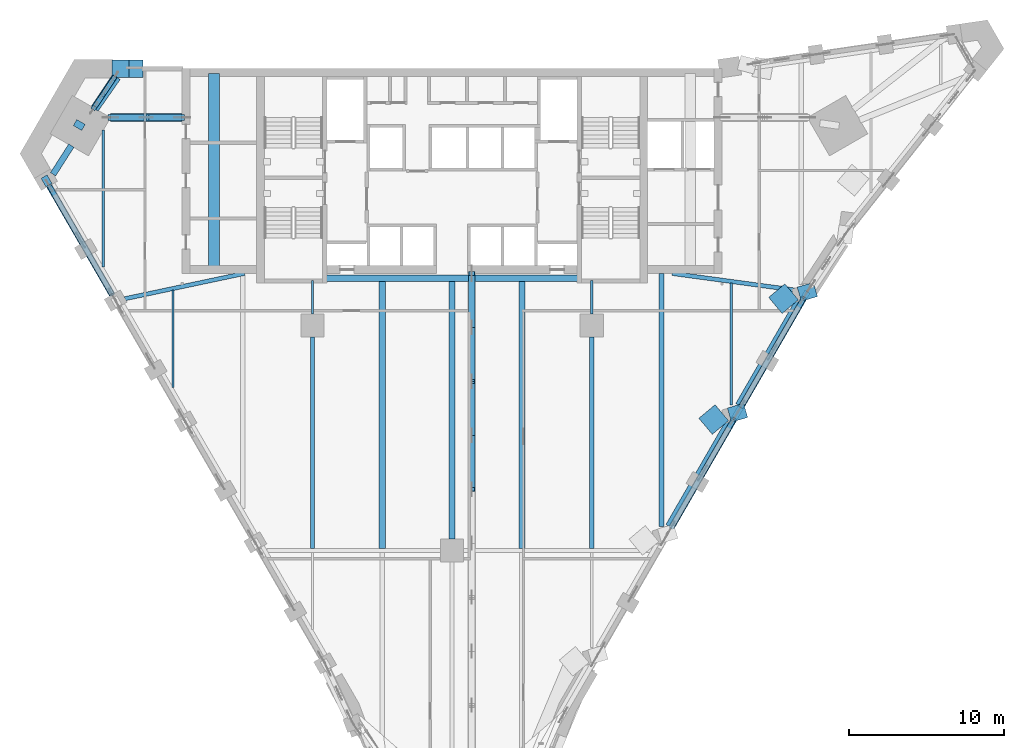
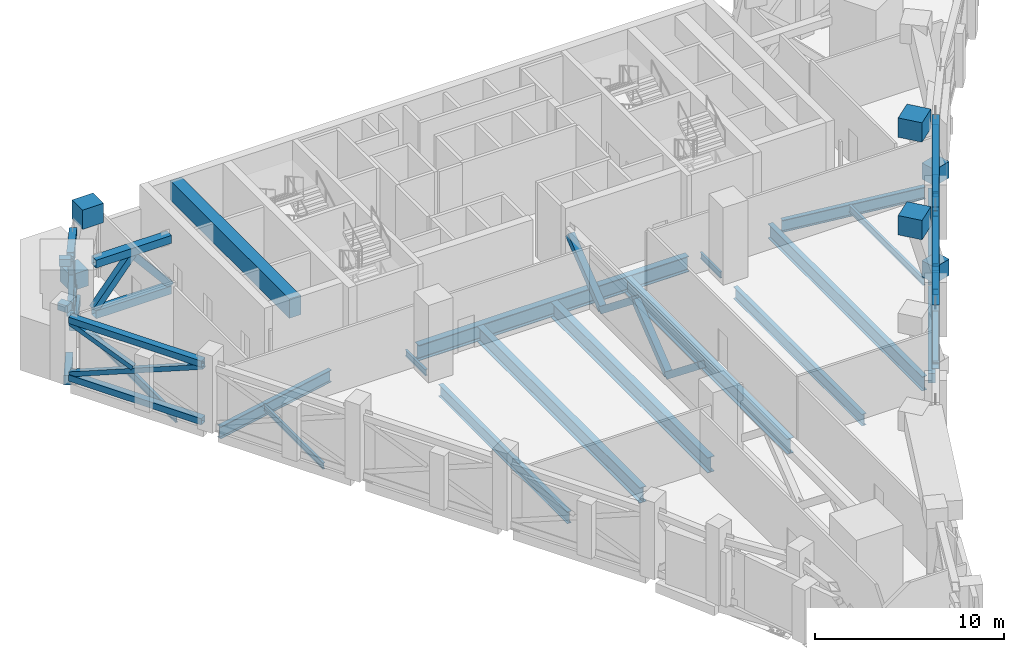
# One storey, part 3 of 20: 27 beams, 26 members.
"""IFC4 building model written with IfcOpenShell, lengths in metres."""

from ifc_helpers import new_model, si_unit, direction, frame, origin, origin_2d, place, context, subcontext, project, spatial, rectangle, hollow_rectangle, i_section, extrude, material, material_profile, profile_set, type_object, element, save


model = new_model("IFC4")

# Units and contexts
model_context = context("Model", 3, precision=1e-05, world=origin(), true_north=direction((0.0, 1.0)))
body_context = subcontext(model_context, "Body", "Model", "MODEL_VIEW")
ifc_project = project(units=[si_unit("LENGTHUNIT", "METRE"), si_unit("AREAUNIT", "SQUARE_METRE"), si_unit("VOLUMEUNIT", "CUBIC_METRE"), si_unit("PLANEANGLEUNIT", "RADIAN"), si_unit("MASSUNIT", "GRAM", prefix="KILO")], contexts=[model_context])

# Site, building, storey
site_placement = place(None, origin())
site = spatial("IfcSite", under=ifc_project, at=site_placement, CompositionType="ELEMENT")
building_placement = place(site_placement, origin())
building = spatial("IfcBuilding", under=site, at=building_placement, Name="Calabash Gate Tower", CompositionType="ELEMENT")
storey_placement = place(building_placement, frame((0.0, 0.0, 139.60009765625)))
storey = spatial("IfcBuildingStorey", under=building, at=storey_placement, Name="L32", CompositionType="ELEMENT", Elevation=139.60009765625)

# Members
ifc_material_1 = material(Name="Steel ASTM A500 Gr C", Category="steel")
ifc_material_profile_1 = material_profile(ifc_material_1, hollow_rectangle(XDim=0.406494140625, YDim=0.406494140625, WallThickness=0.015869140625, at=origin_2d()))
ifc_profile_set_1 = profile_set([ifc_material_profile_1], Name="Steel ASTM A500 Gr C")
member_type_1 = type_object("IfcMemberType", Name="Belt truss chord HSS16X16X.625 ASTM A500 Gr C", PredefinedType="CHORD", material=ifc_profile_set_1)
member_1_placement = place(storey_placement, frame((14.131591796875, -10.5283203125, 0.203125), z_axis=(0.499999880539, 0.866025472755, 0.0), x_axis=(-0.866025472755, 0.499999880539, 0.0)))
element("IfcMember", 1, at=member_1_placement, inside=storey, type_object=member_type_1, Name="Belt chord L32 46", PredefinedType="CHORD", context=body_context, shape_type="SweptSolid", body=[
    extrude(hollow_rectangle(XDim=0.406494140625, YDim=0.406494140625, WallThickness=0.015869140625, at=origin_2d()), origin(), (0.0, 0.0, 1.0), 8.10009765625),
])
member_2_placement = place(storey_placement, frame((14.131591796875, -10.5283203125, 3.9267578125), z_axis=(0.500005646658, 0.866022143236, 2.7112333e-05), x_axis=(-0.866022143554, 0.500005646842, 0.0)))
element("IfcMember", 2, at=member_2_placement, inside=storey, type_object=member_type_1, Name="Belt chord L32 47", PredefinedType="CHORD", context=body_context, shape_type="SweptSolid", body=[
    extrude(hollow_rectangle(XDim=0.406494140625, YDim=0.406494140625, WallThickness=0.015869140625, at=origin_2d()), origin(), (0.0, 0.0, 1.0), 9.0048828125),
])
member_3_placement = place(storey_placement, frame((18.631591796875, -2.734130859375, 0.203125), z_axis=(0.499999880539, 0.866025472755, 0.0), x_axis=(-0.866025472755, 0.499999880539, 0.0)))
element("IfcMember", 3, at=member_3_placement, inside=storey, type_object=member_type_1, Name="Belt chord L32 51", PredefinedType="CHORD", context=body_context, shape_type="SweptSolid", body=[
    extrude(hollow_rectangle(XDim=0.406494140625, YDim=0.406494140625, WallThickness=0.015869140625, at=origin_2d()), origin(), (0.0, 0.0, 1.0), 8.10009765625),
])
member_4_placement = place(storey_placement, frame((18.631591796875, -2.734130859375, 3.9267578125), z_axis=(0.49987064474, 0.866100073729, 2.8531429e-05), x_axis=(-0.866100074081, 0.499870644944, 0.0)))
element("IfcMember", 4, at=member_4_placement, inside=storey, type_object=member_type_1, Name="Belt chord L32 52", PredefinedType="CHORD", context=body_context, shape_type="SweptSolid", body=[
    extrude(hollow_rectangle(XDim=0.406494140625, YDim=0.406494140625, WallThickness=0.015869140625, at=origin_2d()), origin(), (0.0, 0.0, 1.0), 8.556884765625),
])
member_5_placement = place(storey_placement, frame((-21.77099609375, 18.493896484375, 0.202880859375), z_axis=(-0.556172397558, -0.831066936892, 0.000102956756), x_axis=(0.831066941296, -0.556172400506, 0.0)))
element("IfcMember", 5, at=member_5_placement, inside=storey, type_object=member_type_1, Name="Belt chord L32 86", PredefinedType="CHORD", context=body_context, shape_type="SweptSolid", body=[
    extrude(hollow_rectangle(XDim=0.406494140625, YDim=0.406494140625, WallThickness=0.015869140625, at=origin_2d()), origin(), (0.0, 0.0, 1.0), 2.371337890625),
])
member_6_placement = place(storey_placement, frame((-21.798583984375, 18.45263671875, 3.9267578125), z_axis=(-0.556179616654, -0.83106211201, 0.0), x_axis=(0.83106211201, -0.556179616654, 0.0)))
element("IfcMember", 6, at=member_6_placement, inside=storey, type_object=member_type_1, Name="Belt chord L32 87", PredefinedType="CHORD", context=body_context, shape_type="SweptSolid", body=[
    extrude(hollow_rectangle(XDim=0.406494140625, YDim=0.406494140625, WallThickness=0.015869140625, at=origin_2d()), origin(), (0.0, 0.0, 1.0), 2.32177734375),
])
for number, where, z_axis, x_axis, name in (
    (7, (-25.963134765625, 11.504638671875, 0.203125), (0.500012932018, -0.866017937352, 0.0), (0.866017937352, 0.500012932018, 0.0), "Belt chord L32 91"),
    (8, (-25.963134765625, 11.504638671875, 3.9267578125), (0.500012932018, -0.866017937352, 0.0), (0.866017937352, 0.500012932018, 0.0), "Belt chord L32 92"),
):
    element("IfcMember", number, at=place(storey_placement, frame(where, z_axis=z_axis, x_axis=x_axis)), inside=storey, type_object=member_type_1, Name=name, PredefinedType="CHORD", context=body_context, shape_type="SweptSolid", body=[
        extrude(hollow_rectangle(XDim=0.406494140625, YDim=0.406494140625, WallThickness=0.015869140625, at=origin_2d()), origin(), (0.0, 0.0, 1.0), 8.099853515625),
    ])
ifc_material_2 = material(Name="Steel ASTM A500 Gr C", Category="steel")
ifc_material_profile_2 = material_profile(ifc_material_2, hollow_rectangle(XDim=0.3046875, YDim=0.3046875, WallThickness=0.0126953125, at=origin_2d()))
ifc_profile_set_2 = profile_set([ifc_material_profile_2], Name="Steel ASTM A500 Gr C")
member_type_2 = type_object("IfcMemberType", Name="Belt truss diagonal HSS12X12X.500 ASTM A500 Gr C", PredefinedType="BRACE", material=ifc_profile_set_2)
member_7_placement = place(storey_placement, frame((14.131591796875, -10.5283203125, 0.40625), z_axis=(0.462704041468, 0.801427163994, 0.378971596325), x_axis=(-0.866025472755, 0.499999880539, 0.0)))
element("IfcMember", 9, at=member_7_placement, inside=storey, type_object=member_type_2, Name="Belt diagonal L32 48", PredefinedType="BRACE", context=body_context, shape_type="SweptSolid", body=[
    extrude(hollow_rectangle(XDim=0.3046875, YDim=0.3046875, WallThickness=0.0126953125, at=origin_2d()), origin(), (0.0, 0.0, 1.0), 8.7529296875),
])
member_8_placement = place(storey_placement, frame((16.257080078125, -6.8466796875, 1.982666015625), z_axis=(0.46271511004, 0.801401674157, -0.379011983449), x_axis=(-0.866013407032, 0.50002077841, 0.0)))
element("IfcMember", 10, at=member_8_placement, inside=storey, type_object=member_type_2, Name="Belt diagonal (split) L32 50 half 2 of 2", PredefinedType="BRACE", context=body_context, shape_type="SweptSolid", body=[
    extrude(hollow_rectangle(XDim=0.3046875, YDim=0.3046875, WallThickness=0.0126953125, at=origin_2d()), origin(), (0.0, 0.0, 1.0), 4.1591796875),
])
member_9_placement = place(storey_placement, frame((18.631591796875, -2.734130859375, 0.40625), z_axis=(0.462704041468, 0.801427163994, 0.378971596325), x_axis=(-0.866025472755, 0.499999880539, 0.0)))
element("IfcMember", 11, at=member_9_placement, inside=storey, type_object=member_type_2, Name="Belt diagonal L32 53", PredefinedType="BRACE", context=body_context, shape_type="SweptSolid", body=[
    extrude(hollow_rectangle(XDim=0.3046875, YDim=0.3046875, WallThickness=0.0126953125, at=origin_2d()), origin(), (0.0, 0.0, 1.0), 8.7529296875),
])
member_10_placement = place(storey_placement, frame((18.631591796875, -2.734130859375, 3.723388671875), z_axis=(0.462703636609, 0.801440499081, -0.378943889121), x_axis=(-0.866029264609, 0.499993312796, 0.0)))
element("IfcMember", 12, at=member_10_placement, inside=storey, type_object=member_type_2, Name="Belt diagonal (split) L32 54 half 1 of 2", PredefinedType="BRACE", context=body_context, shape_type="SweptSolid", body=[
    extrude(hollow_rectangle(XDim=0.3046875, YDim=0.3046875, WallThickness=0.0126953125, at=origin_2d()), origin(), (0.0, 0.0, 1.0), 4.159423828125),
])
member_11_placement = place(storey_placement, frame((20.757080078125, 0.947509765625, 1.982666015625), z_axis=(0.46271511004, 0.801401674157, -0.379011983449), x_axis=(-0.866013407032, 0.50002077841, 0.0)))
element("IfcMember", 13, at=member_11_placement, inside=storey, type_object=member_type_2, Name="Belt diagonal (split) L32 55 half 2 of 2", PredefinedType="BRACE", context=body_context, shape_type="SweptSolid", body=[
    extrude(hollow_rectangle(XDim=0.3046875, YDim=0.3046875, WallThickness=0.0126953125, at=origin_2d()), origin(), (0.0, 0.0, 1.0), 4.1591796875),
])
member_12_placement = place(storey_placement, frame((-21.798583984375, 18.45263671875, 0.40625), z_axis=(-0.318916957277, -0.476536342099, 0.819271071758), x_axis=(0.83106211201, -0.556179616654, 0.0)))
element("IfcMember", 14, at=member_12_placement, inside=storey, type_object=member_type_2, Name="Belt diagonal L32 88", PredefinedType="BRACE", context=body_context, shape_type="SweptSolid", body=[
    extrude(hollow_rectangle(XDim=0.3046875, YDim=0.3046875, WallThickness=0.0126953125, at=origin_2d()), origin(), (0.0, 0.0, 1.0), 4.048828125),
])
member_13_placement = place(storey_placement, frame((-21.798583984375, 18.45263671875, 3.723388671875), z_axis=(-0.318966532674, -0.476548847625, -0.819244497608), x_axis=(0.831028896628, -0.556229244978, 0.0)))
element("IfcMember", 15, at=member_13_placement, inside=storey, type_object=member_type_2, Name="Belt diagonal (split) L32 89 half 1 of 2", PredefinedType="BRACE", context=body_context, shape_type="SweptSolid", body=[
    extrude(hollow_rectangle(XDim=0.3046875, YDim=0.3046875, WallThickness=0.0126953125, at=origin_2d()), origin(), (0.0, 0.0, 1.0), 1.8623046875),
])
member_14_placement = place(storey_placement, frame((-22.495849609375, 17.41064453125, 1.93212890625), z_axis=(-0.318932277479, -0.476497668984, -0.819287601416), x_axis=(0.831028896628, -0.556229244978, 0.0)))
element("IfcMember", 16, at=member_14_placement, inside=storey, type_object=member_type_2, Name="Belt diagonal (split) L32 90 half 2 of 2", PredefinedType="BRACE", context=body_context, shape_type="SweptSolid", body=[
    extrude(hollow_rectangle(XDim=0.3046875, YDim=0.3046875, WallThickness=0.0126953125, at=origin_2d()), origin(), (0.0, 0.0, 1.0), 1.862548828125),
])
member_15_placement = place(storey_placement, frame((-25.963134765625, 11.504638671875, 0.40625), z_axis=(0.462714384728, -0.801417186208, 0.378980067834), x_axis=(0.866017937352, 0.500012932018, 0.0)))
element("IfcMember", 17, at=member_15_placement, inside=storey, type_object=member_type_2, Name="Belt diagonal L32 93", PredefinedType="BRACE", context=body_context, shape_type="SweptSolid", body=[
    extrude(hollow_rectangle(XDim=0.3046875, YDim=0.3046875, WallThickness=0.0126953125, at=origin_2d()), origin(), (0.0, 0.0, 1.0), 8.752685546875),
])
member_16_placement = place(storey_placement, frame((-25.963134765625, 11.504638671875, 3.723388671875), z_axis=(0.462679271023, -0.801441269637, -0.378972008846), x_axis=(0.866040873467, 0.499973204766, 0.0)))
element("IfcMember", 18, at=member_16_placement, inside=storey, type_object=member_type_2, Name="Belt diagonal (split) L32 94 half 1 of 2", PredefinedType="BRACE", context=body_context, shape_type="SweptSolid", body=[
    extrude(hollow_rectangle(XDim=0.3046875, YDim=0.3046875, WallThickness=0.0126953125, at=origin_2d()), origin(), (0.0, 0.0, 1.0), 4.1591796875),
])

# Beams
ifc_material_3 = material(Name="Concrete C80/95", Category="concrete")
ifc_material_profile_3 = material_profile(ifc_material_3, rectangle(XDim=0.449951171875, YDim=0.449951171875, at=origin_2d()))
ifc_profile_set_3 = profile_set([ifc_material_profile_3], Name="Concrete C80/95")
beam_type_1 = type_object("IfcBeamType", Name="Column offset link RC 450x450 Concrete C80/95", PredefinedType="BEAM", material=ifc_profile_set_3)
beam_1_placement = place(storey_placement, frame((-23.762939453125, 15.26611328125, 4.60400390625), z_axis=(-0.86589493345, 0.500225913189, 0.0), x_axis=(-0.500225913189, -0.86589493345, 0.0)))
element("IfcBeam", 19, at=beam_1_placement, inside=storey, type_object=beam_type_1, Name="Column offset link L32 NW", PredefinedType="BEAM", context=body_context, shape_type="SweptSolid", body=[
    extrude(rectangle(XDim=0.449951171875, YDim=0.449951171875, at=origin_2d()), origin(), (0.0, 0.0, 1.0), 0.629638671875),
])
beam_2_placement = place(storey_placement, frame((-25.989990234375, 11.551025390625, 4.60400390625), z_axis=(-0.497391899042, 0.867525964319, 0.0), x_axis=(-0.867525964319, -0.497391899042, 0.0)))
element("IfcBeam", 20, at=beam_2_placement, inside=storey, type_object=beam_type_1, Name="Column offset link L32 P20", PredefinedType="BEAM", context=body_context, shape_type="SweptSolid", body=[
    extrude(rectangle(XDim=0.449951171875, YDim=0.449951171875, at=origin_2d()), origin(), (0.0, 0.0, 1.0), 0.629150390625),
])
ifc_material_4 = material(Name="Concrete C80/95", Category="concrete")
ifc_material_profile_4 = material_profile(ifc_material_4, rectangle(XDim=0.699951171875, YDim=1.25, at=origin_2d()))
ifc_profile_set_4 = profile_set([ifc_material_profile_4], Name="Concrete C80/95")
beam_type_2 = type_object("IfcBeamType", Name="Core wall transfer beam RC 700x1250 Concrete C80/95", PredefinedType="BEAM", material=ifc_profile_set_4)
beam_3_placement = place(storey_placement, frame((-15.35009765625, 6.153076171875, 4.206787109375), z_axis=(0.0, 1.0, 0.0), x_axis=(-1.0, 0.0, 0.0)))
element("IfcBeam", 21, at=beam_3_placement, inside=storey, type_object=beam_type_2, Name="Core wall transfer beam L32 1", PredefinedType="BEAM", context=body_context, shape_type="SweptSolid", body=[
    extrude(rectangle(XDim=0.699951171875, YDim=1.25, at=origin_2d()), origin(), (0.0, 0.0, 1.0), 12.599853515625),
])
ifc_material_5 = material(Name="Concrete C60/75", Category="concrete")
ifc_material_profile_5 = material_profile(ifc_material_5, rectangle(XDim=0.39990234375, YDim=0.60009765625, at=origin_2d()))
ifc_profile_set_5 = profile_set([ifc_material_profile_5], Name="Concrete C60/75")
beam_type_3 = type_object("IfcBeamType", Name="Edge beam RC 400x600 Concrete C60/75", PredefinedType="BEAM", material=ifc_profile_set_5)
beam_4_placement = place(storey_placement, frame((13.9580078125, -10.427978515625, -0.60009765625), z_axis=(0.499999880539, 0.866025472755, 0.0), x_axis=(-0.866025472755, 0.499999880539, 0.0)))
element("IfcBeam", 22, at=beam_4_placement, inside=storey, type_object=beam_type_3, Name="Edge beam L32 12", PredefinedType="BEAM", context=body_context, shape_type="SweptSolid", body=[
    extrude(rectangle(XDim=0.39990234375, YDim=0.60009765625, at=origin_2d()), origin(), (0.0, 0.0, 1.0), 8.10009765625),
])
beam_5_placement = place(storey_placement, frame((18.4580078125, -2.634033203125, -0.60009765625), z_axis=(0.499986829629, 0.866033007568, 0.0), x_axis=(-0.866033007568, 0.499986829629, 0.0)))
element("IfcBeam", 23, at=beam_5_placement, inside=storey, type_object=beam_type_3, Name="Edge beam L32 13", PredefinedType="BEAM", context=body_context, shape_type="SweptSolid", body=[
    extrude(rectangle(XDim=0.39990234375, YDim=0.60009765625, at=origin_2d()), origin(), (0.0, 0.0, 1.0), 8.100341796875),
])
beam_6_placement = place(storey_placement, frame((-21.56005859375, 18.470947265625, -0.60009765625), z_axis=(-0.572712945654, -0.819755989231, 0.0), x_axis=(0.819755989231, -0.572712945654, 0.0)))
element("IfcBeam", 24, at=beam_6_placement, inside=storey, type_object=beam_type_3, Name="Edge beam L32 21", PredefinedType="BEAM", context=body_context, shape_type="SweptSolid", body=[
    extrude(rectangle(XDim=0.39990234375, YDim=0.60009765625, at=origin_2d()), origin(), (0.0, 0.0, 1.0), 2.493408203125),
])
beam_7_placement = place(storey_placement, frame((-24.54296875, 14.097900390625, -0.60009765625), z_axis=(-0.53876925655, -0.842453374494, 0.0), x_axis=(0.842453374494, -0.53876925655, 0.0)))
element("IfcBeam", 25, at=beam_7_placement, inside=storey, type_object=beam_type_3, Name="Edge beam L32 22", PredefinedType="BEAM", context=body_context, shape_type="SweptSolid", body=[
    extrude(rectangle(XDim=0.39990234375, YDim=0.60009765625, at=origin_2d()), origin(), (0.0, 0.0, 1.0), 2.1923828125),
])
ifc_material_6 = material(Name="Steel ASTM A992 Gr50", Category="steel")
ifc_material_profile_6 = material_profile(ifc_material_6, i_section(OverallWidth=0.1396484375, OverallDepth=0.398681640625, WebThickness=0.00634765625, FlangeThickness=0.0087890625, FilletRadius=0.01025390625, at=origin_2d()))
ifc_profile_set_6 = profile_set([ifc_material_profile_6], Name="Steel ASTM A992 Gr50")
beam_type_4 = type_object("IfcBeamType", Name="Floor beam W16x26 ASTM A992 Gr50", PredefinedType="BEAM", material=ifc_profile_set_6)
beam_8_placement = place(storey_placement, frame((-18.0, -1.5, -0.4990234375), z_axis=(0.0, 1.0, 0.0), x_axis=(-1.0, 0.0, 0.0)))
element("IfcBeam", 26, at=beam_8_placement, inside=storey, type_object=beam_type_4, Name="Floor beam L32 2", PredefinedType="BEAM", context=body_context, shape_type="SweptSolid", body=[
    extrude(i_section(OverallWidth=0.1396484375, OverallDepth=0.398681640625, WebThickness=0.00634765625, FlangeThickness=0.0087890625, FilletRadius=0.01025390625, at=origin_2d()), origin(), (0.0, 0.0, 1.0), 6.277099609375),
])
for number, where, z_axis, x_axis, name in (
    (27, (-9.0, 3.25, -0.4990234375), (0.0, 1.0, 0.0), (-1.0, 0.0, 0.0), "Floor beam L32 6"),
    (28, (9.0, 3.25, -0.4990234375), (0.0, 1.0, 0.0), (-1.0, 0.0, 0.0), "Floor beam L32 15"),
):
    element("IfcBeam", number, at=place(storey_placement, frame(where, z_axis=z_axis, x_axis=x_axis)), inside=storey, type_object=beam_type_4, Name=name, PredefinedType="BEAM", context=body_context, shape_type="SweptSolid", body=[
        extrude(i_section(OverallWidth=0.1396484375, OverallDepth=0.398681640625, WebThickness=0.00634765625, FlangeThickness=0.0087890625, FilletRadius=0.01025390625, at=origin_2d()), origin(), (0.0, 0.0, 1.0), 2.153076171875),
    ])
ifc_material_7 = material(Name="Steel ASTM A992 Gr50", Category="steel")
ifc_material_profile_7 = material_profile(ifc_material_7, i_section(OverallWidth=0.15234375, OverallDepth=0.44970703125, WebThickness=0.007568359375, FlangeThickness=0.0107421875, FilletRadius=0.01025390625, at=origin_2d()))
ifc_profile_set_7 = profile_set([ifc_material_profile_7], Name="Steel ASTM A992 Gr50")
beam_type_5 = type_object("IfcBeamType", Name="Floor beam W18x35 ASTM A992 Gr50", PredefinedType="BEAM", material=ifc_profile_set_7)
beam_9_placement = place(storey_placement, frame((18.0, -2.639892578125, -0.523193359375), z_axis=(0.0, 1.0, 0.0), x_axis=(-1.0, 0.0, 0.0)))
element("IfcBeam", 29, at=beam_9_placement, inside=storey, type_object=beam_type_5, Name="Floor beam L32 17", PredefinedType="BEAM", context=body_context, shape_type="SweptSolid", body=[
    extrude(i_section(OverallWidth=0.15234375, OverallDepth=0.44970703125, WebThickness=0.007568359375, FlangeThickness=0.0107421875, FilletRadius=0.01025390625, at=origin_2d()), origin(), (0.0, 0.0, 1.0), 7.866943359375),
])
ifc_material_8 = material(Name="Steel ASTM A992 Gr50", Category="steel")
ifc_material_profile_8 = material_profile(ifc_material_8, i_section(OverallWidth=0.166015625, OverallDepth=0.5283203125, WebThickness=0.009765625, FlangeThickness=0.013671875, FilletRadius=0.0126953125, at=origin_2d()))
ifc_profile_set_8 = profile_set([ifc_material_profile_8], Name="Steel ASTM A992 Gr50")
beam_type_6 = type_object("IfcBeamType", Name="Floor beam W21x50 ASTM A992 Gr50", PredefinedType="BEAM", material=ifc_profile_set_8)
beam_10_placement = place(storey_placement, frame((-22.5, 6.27392578125, -0.564208984375), z_axis=(0.0, 1.0, 0.0), x_axis=(-1.0, 0.0, 0.0)))
element("IfcBeam", 30, at=beam_10_placement, inside=storey, type_object=beam_type_6, Name="Floor beam L32 1", PredefinedType="BEAM", context=body_context, shape_type="SweptSolid", body=[
    extrude(i_section(OverallWidth=0.166015625, OverallDepth=0.5283203125, WebThickness=0.009765625, FlangeThickness=0.013671875, FilletRadius=0.0126953125, at=origin_2d()), origin(), (0.0, 0.0, 1.0), 8.822998046875),
])
ifc_material_9 = material(Name="Steel ASTM A992 Gr50", Category="steel")
ifc_material_profile_9 = material_profile(ifc_material_9, i_section(OverallWidth=0.2666015625, OverallDepth=0.7568359375, WebThickness=0.013916015625, FlangeThickness=0.019287109375, FilletRadius=0.0166015625, at=origin_2d()))
ifc_profile_set_9 = profile_set([ifc_material_profile_9], Name="Steel ASTM A992 Gr50")
beam_type_7 = type_object("IfcBeamType", Name="Floor beam W30x108 ASTM A992 Gr50", PredefinedType="BEAM", material=ifc_profile_set_9)
for number, where, z_axis, x_axis, name in (
    (31, (-9.0, -11.866943359375, -0.677978515625), (0.0, 1.0, 0.0), (-1.0, 0.0, 0.0), "Floor beam L32 5"),
    (32, (9.0, -11.866943359375, -0.677978515625), (0.0, 1.0, 0.0), (-1.0, 0.0, 0.0), "Floor beam L32 14"),
):
    element("IfcBeam", number, at=place(storey_placement, frame(where, z_axis=z_axis, x_axis=x_axis)), inside=storey, type_object=beam_type_7, Name=name, PredefinedType="BEAM", context=body_context, shape_type="SweptSolid", body=[
        extrude(i_section(OverallWidth=0.2666015625, OverallDepth=0.7568359375, WebThickness=0.013916015625, FlangeThickness=0.019287109375, FilletRadius=0.0166015625, at=origin_2d()), origin(), (0.0, 0.0, 1.0), 13.616943359375),
    ])
ifc_material_10 = material(Name="Steel ASTM A992 Gr50", Category="steel")
ifc_material_profile_10 = material_profile(ifc_material_10, i_section(OverallWidth=0.307373046875, OverallDepth=0.922119140625, WebThickness=0.018310546875, FlangeThickness=0.030029296875, FilletRadius=0.01904296875, at=origin_2d()))
ifc_profile_set_10 = profile_set([ifc_material_profile_10], Name="Steel ASTM A992 Gr50")
beam_type_8 = type_object("IfcBeamType", Name="Floor beam W36x182 ASTM A992 Gr50", PredefinedType="BEAM", material=ifc_profile_set_10)
beam_11_placement = place(storey_placement, frame((13.5, -10.4541015625, -0.760986328125), z_axis=(0.0, 1.0, 0.0), x_axis=(-1.0, 0.0, 0.0)))
element("IfcBeam", 33, at=beam_11_placement, inside=storey, type_object=beam_type_8, Name="Floor beam L32 16", PredefinedType="BEAM", context=body_context, shape_type="SweptSolid", body=[
    extrude(i_section(OverallWidth=0.307373046875, OverallDepth=0.922119140625, WebThickness=0.018310546875, FlangeThickness=0.030029296875, FilletRadius=0.01904296875, at=origin_2d()), origin(), (0.0, 0.0, 1.0), 16.30712890625),
])
ifc_material_11 = material(Name="Steel ASTM A992 Gr50", Category="steel")
ifc_material_profile_11 = material_profile(ifc_material_11, i_section(OverallWidth=0.4013671875, OverallDepth=0.990478515625, WebThickness=0.0166015625, FlangeThickness=0.031005859375, FilletRadius=0.030029296875, at=origin_2d()))
ifc_profile_set_11 = profile_set([ifc_material_profile_11], Name="Steel ASTM A992 Gr50")
beam_type_9 = type_object("IfcBeamType", Name="Floor beam W40x215 ASTM A992 Gr50", PredefinedType="BEAM", material=ifc_profile_set_11)
beam_12_placement = place(storey_placement, frame((-4.5, -11.866943359375, -0.793212890625), z_axis=(0.0, 1.0, 0.0), x_axis=(-1.0, 0.0, 0.0)))
element("IfcBeam", 34, at=beam_12_placement, inside=storey, type_object=beam_type_9, Name="Floor beam L32 8", PredefinedType="BEAM", context=body_context, shape_type="SweptSolid", body=[
    extrude(i_section(OverallWidth=0.4013671875, OverallDepth=0.990478515625, WebThickness=0.0166015625, FlangeThickness=0.031005859375, FilletRadius=0.030029296875, at=origin_2d()), origin(), (0.0, 0.0, 1.0), 17.218994140625),
])
beam_13_placement = place(storey_placement, frame((0.0, -11.25, -0.793212890625), z_axis=(0.0, 1.0, 0.0), x_axis=(-1.0, 0.0, 0.0)))
element("IfcBeam", 35, at=beam_13_placement, inside=storey, type_object=beam_type_9, Name="Floor beam L32 10", PredefinedType="BEAM", context=body_context, shape_type="SweptSolid", body=[
    extrude(i_section(OverallWidth=0.4013671875, OverallDepth=0.990478515625, WebThickness=0.0166015625, FlangeThickness=0.031005859375, FilletRadius=0.030029296875, at=origin_2d()), origin(), (0.0, 0.0, 1.0), 16.60205078125),
])
beam_14_placement = place(storey_placement, frame((4.5, -11.866943359375, -0.793212890625), z_axis=(0.0, 1.0, 0.0), x_axis=(-1.0, 0.0, 0.0)))
element("IfcBeam", 36, at=beam_14_placement, inside=storey, type_object=beam_type_9, Name="Floor beam L32 12", PredefinedType="BEAM", context=body_context, shape_type="SweptSolid", body=[
    extrude(i_section(OverallWidth=0.4013671875, OverallDepth=0.990478515625, WebThickness=0.0166015625, FlangeThickness=0.031005859375, FilletRadius=0.030029296875, at=origin_2d()), origin(), (0.0, 0.0, 1.0), 17.218994140625),
])
ifc_material_12 = material(Name="Steel ASTM A992 Gr50", Category="steel")
ifc_material_profile_12 = material_profile(ifc_material_12, i_section(OverallWidth=0.2666015625, OverallDepth=0.77978515625, WebThickness=0.0166015625, FlangeThickness=0.030029296875, FilletRadius=0.0166015625, at=origin_2d()))
ifc_profile_set_12 = profile_set([ifc_material_profile_12], Name="Steel ASTM A992 Gr50")
beam_type_10 = type_object("IfcBeamType", Name="Girder W30x148 ASTM A992 Gr50", PredefinedType="BEAM", material=ifc_profile_set_12)
beam_15_placement = place(storey_placement, frame((-21.092041015625, 4.22607421875, -0.690185546875), z_axis=(0.978296589788, 0.207209513317, 0.0), x_axis=(-0.207209513317, 0.978296589788, 0.0)))
element("IfcBeam", 37, at=beam_15_placement, inside=storey, type_object=beam_type_10, Name="Girder L32 2", PredefinedType="BEAM", context=body_context, shape_type="SweptSolid", body=[
    extrude(i_section(OverallWidth=0.2666015625, OverallDepth=0.77978515625, WebThickness=0.0166015625, FlangeThickness=0.030029296875, FilletRadius=0.0166015625, at=origin_2d()), origin(), (0.0, 0.0, 1.0), 7.880126953125),
])
beam_16_placement = place(storey_placement, frame((22.285888671875, 4.757080078125, -0.690185546875), z_axis=(-0.990922447066, 0.134434757038, 0.0), x_axis=(-0.134434757038, -0.990922447066, 0.0)))
element("IfcBeam", 38, at=beam_16_placement, inside=storey, type_object=beam_type_10, Name="Girder L32 3", PredefinedType="BEAM", context=body_context, shape_type="SweptSolid", body=[
    extrude(i_section(OverallWidth=0.2666015625, OverallDepth=0.77978515625, WebThickness=0.0166015625, FlangeThickness=0.030029296875, FilletRadius=0.0166015625, at=origin_2d()), origin(), (0.0, 0.0, 1.0), 8.174072265625),
])
ifc_material_13 = material(Name="Steel ASTM A992 Gr50", Category="steel")
ifc_material_profile_13 = material_profile(ifc_material_13, i_section(OverallWidth=0.4013671875, OverallDepth=1.000732421875, WebThickness=0.01904296875, FlangeThickness=0.0361328125, FilletRadius=0.030029296875, at=origin_2d()))
ifc_profile_set_13 = profile_set([ifc_material_profile_13], Name="Steel ASTM A992 Gr50")
beam_type_11 = type_object("IfcBeamType", Name="Girder W40x249 ASTM A992 Gr50", PredefinedType="BEAM", material=ifc_profile_set_13)
beam_17_placement = place(storey_placement, frame((-8.25, 5.552978515625, -0.800048828125), z_axis=(1.0, 0.0, 0.0), x_axis=(0.0, 1.0, 0.0)))
element("IfcBeam", 39, at=beam_17_placement, inside=storey, type_object=beam_type_11, Name="Girder L32 1", PredefinedType="BEAM", context=body_context, shape_type="SweptSolid", body=[
    extrude(i_section(OverallWidth=0.4013671875, OverallDepth=1.000732421875, WebThickness=0.01904296875, FlangeThickness=0.0361328125, FilletRadius=0.030029296875, at=origin_2d()), origin(), (0.0, 0.0, 1.0), 16.5),
])

# Members
ifc_material_14 = material(Name="Steel ASTM A500 Gr C", Category="steel")
ifc_material_profile_14 = material_profile(ifc_material_14, hollow_rectangle(XDim=0.508056640625, YDim=0.508056640625, WallThickness=0.01904296875, at=origin_2d()))
ifc_profile_set_14 = profile_set([ifc_material_profile_14], Name="Steel ASTM A500 Gr C")
member_type_3 = type_object("IfcMemberType", Name="Outrigger chord HSS20X20X.750 ASTM A500 Gr C", PredefinedType="CHORD", material=ifc_profile_set_14)
for number, where, z_axis, x_axis, name in (
    (40, (-22.015869140625, 15.903076171875, 0.25390625), (1.0, 0.0, 0.0), (0.0, 1.0, 0.0), "Outrigger chord L32 NW"),
    (41, (-22.015869140625, 15.903076171875, 3.52587890625), (1.0, 0.0, 0.0), (0.0, 1.0, 0.0), "Outrigger chord L32 NW"),
):
    element("IfcMember", number, at=place(storey_placement, frame(where, z_axis=z_axis, x_axis=x_axis)), inside=storey, type_object=member_type_3, Name=name, PredefinedType="CHORD", context=body_context, shape_type="SweptSolid", body=[
        extrude(hollow_rectangle(XDim=0.508056640625, YDim=0.508056640625, WallThickness=0.01904296875, at=origin_2d()), origin(), (0.0, 0.0, 1.0), 4.615966796875),
    ])
ifc_material_15 = material(Name="Steel ASTM A500 Gr C", Category="steel")
ifc_material_profile_15 = material_profile(ifc_material_15, hollow_rectangle(XDim=0.406494140625, YDim=0.406494140625, WallThickness=0.015869140625, at=origin_2d()))
ifc_profile_set_15 = profile_set([ifc_material_profile_15], Name="Steel ASTM A500 Gr C")
member_type_4 = type_object("IfcMemberType", Name="Outrigger diagonal HSS16X16X.625 ASTM A500 Gr C", PredefinedType="BRACE", material=ifc_profile_set_15)
member_17_placement = place(storey_placement, frame((-22.015869140625, 15.903076171875, 0.5078125), z_axis=(0.640904344208, 0.0, 0.767620753742), x_axis=(0.0, 1.0, 0.0)))
element("IfcMember", 42, at=member_17_placement, inside=storey, type_object=member_type_4, Name="Outrigger diagonal L32 NW", PredefinedType="BRACE", context=body_context, shape_type="SweptSolid", body=[
    extrude(hollow_rectangle(XDim=0.406494140625, YDim=0.406494140625, WallThickness=0.015869140625, at=origin_2d()), origin(), (0.0, 0.0, 1.0), 3.600830078125),
])
member_18_placement = place(storey_placement, frame((-19.7080078125, 15.903076171875, 3.27197265625), z_axis=(0.640944291622, 0.0, -0.767587398957), x_axis=(0.0, 1.0, 0.0)))
element("IfcMember", 43, at=member_18_placement, inside=storey, type_object=member_type_4, Name="Outrigger diagonal L32 NW", PredefinedType="BRACE", context=body_context, shape_type="SweptSolid", body=[
    extrude(hollow_rectangle(XDim=0.406494140625, YDim=0.406494140625, WallThickness=0.015869140625, at=origin_2d()), origin(), (0.0, 0.0, 1.0), 3.60107421875),
])
member_19_placement = place(storey_placement, frame((1.26953125, -8.067626953125, 3.27197265625), z_axis=(0.0, 0.78304002467, -0.621971317477), x_axis=(-1.0, 0.0, 0.0)))
element("IfcMember", 44, at=member_19_placement, inside=storey, type_object=member_type_4, Name="Outrigger diagonal L32 S", PredefinedType="BRACE", context=body_context, shape_type="SweptSolid", body=[
    extrude(hollow_rectangle(XDim=0.406494140625, YDim=0.406494140625, WallThickness=0.015869140625, at=origin_2d()), origin(), (0.0, 0.0, 1.0), 4.444091796875),
])
member_20_placement = place(storey_placement, frame((1.26953125, -4.587646484375, 0.5078125), z_axis=(0.0, 0.783061274718, 0.621944563476), x_axis=(-1.0, 0.0, 0.0)))
element("IfcMember", 45, at=member_20_placement, inside=storey, type_object=member_type_4, Name="Outrigger diagonal L32 S", PredefinedType="BRACE", context=body_context, shape_type="SweptSolid", body=[
    extrude(hollow_rectangle(XDim=0.406494140625, YDim=0.406494140625, WallThickness=0.015869140625, at=origin_2d()), origin(), (0.0, 0.0, 1.0), 4.4443359375),
])
for number, where, z_axis, x_axis, name in (
    (46, (1.26953125, -1.107421875, 3.27197265625), (0.0, 0.78304002467, -0.621971317477), (-1.0, 0.0, 0.0), "Outrigger diagonal L32 S"),
    (47, (1.26953125, 2.37255859375, 0.5078125), (0.0, 0.78304002467, 0.621971317477), (-1.0, 0.0, 0.0), "Outrigger diagonal L32 S"),
):
    element("IfcMember", number, at=place(storey_placement, frame(where, z_axis=z_axis, x_axis=x_axis)), inside=storey, type_object=member_type_4, Name=name, PredefinedType="BRACE", context=body_context, shape_type="SweptSolid", body=[
        extrude(hollow_rectangle(XDim=0.406494140625, YDim=0.406494140625, WallThickness=0.015869140625, at=origin_2d()), origin(), (0.0, 0.0, 1.0), 4.444091796875),
    ])

# Beams
ifc_material_16 = material(Name="Concrete C60/75", Category="concrete")
ifc_material_profile_16 = material_profile(ifc_material_16, rectangle(XDim=1.10009765625, YDim=1.050048828125, at=origin_2d()))
ifc_profile_set_16 = profile_set([ifc_material_profile_16], Name="Concrete C60/75")
beam_type_12 = type_object("IfcBeamType", Name="Transfer node RC 1100x1050 Concrete C60/75", PredefinedType="BEAM", material=ifc_profile_set_16)
beam_18_placement = place(storey_placement, frame((-21.387939453125, 19.60302734375, 0.52685546875), z_axis=(0.0, -1.0, 0.0), x_axis=(1.0, 0.0, 0.0)))
element("IfcBeam", 48, at=beam_18_placement, inside=storey, type_object=beam_type_12, Name="Transfer node L32 foot P17", PredefinedType="BEAM", context=body_context, shape_type="SweptSolid", body=[
    extrude(rectangle(XDim=1.10009765625, YDim=1.050048828125, at=origin_2d()), origin(), (0.0, 0.0, 1.0), 1.10009765625),
])
ifc_material_17 = material(Name="Concrete C60/75", Category="concrete")
ifc_material_profile_17 = material_profile(ifc_material_17, rectangle(XDim=1.10009765625, YDim=1.25, at=origin_2d()))
ifc_profile_set_17 = profile_set([ifc_material_profile_17], Name="Concrete C60/75")
beam_type_13 = type_object("IfcBeamType", Name="Transfer node RC 1100x1250 Concrete C60/75", PredefinedType="BEAM", material=ifc_profile_set_17)
beam_19_placement = place(storey_placement, frame((-19.9189453125, 19.052978515625, 4.376953125), z_axis=(-1.0, 0.0, 0.0), x_axis=(0.0, -1.0, 0.0)))
element("IfcBeam", 49, at=beam_19_placement, inside=storey, type_object=beam_type_13, Name="Transfer node L32 head P17", PredefinedType="BEAM", context=body_context, shape_type="SweptSolid", body=[
    extrude(rectangle(XDim=1.10009765625, YDim=1.25, at=origin_2d()), origin(), (0.0, 0.0, 1.0), 1.27001953125),
])
ifc_material_18 = material(Name="Concrete C60/75", Category="concrete")
ifc_material_profile_18 = material_profile(ifc_material_18, rectangle(XDim=1.35009765625, YDim=1.25, at=origin_2d()))
ifc_profile_set_18 = profile_set([ifc_material_profile_18], Name="Concrete C60/75")
beam_type_14 = type_object("IfcBeamType", Name="Transfer node RC 1350x1250 Concrete C60/75", PredefinedType="BEAM", material=ifc_profile_set_18)
for number, where, z_axis, x_axis, name in (
    (50, (16.342041015625, -4.0009765625, 4.376953125), (0.76598684345, 0.642856248054, 0.0), (-0.642856248054, 0.76598684345, 0.0), "Transfer node L32 head P11"),
    (51, (20.842041015625, 3.79296875, 4.376953125), (0.76598684345, 0.642856248054, 0.0), (-0.642856248054, 0.76598684345, 0.0), "Transfer node L32 head P12"),
):
    element("IfcBeam", number, at=place(storey_placement, frame(where, z_axis=z_axis, x_axis=x_axis)), inside=storey, type_object=beam_type_14, Name=name, PredefinedType="BEAM", context=body_context, shape_type="SweptSolid", body=[
        extrude(rectangle(XDim=1.35009765625, YDim=1.25, at=origin_2d()), origin(), (0.0, 0.0, 1.0), 1.3642578125),
    ])
ifc_material_19 = material(Name="Concrete C60/75", Category="concrete")
ifc_material_profile_19 = material_profile(ifc_material_19, rectangle(XDim=0.949951171875, YDim=1.050048828125, at=origin_2d()))
ifc_profile_set_19 = profile_set([ifc_material_profile_19], Name="Concrete C60/75")
beam_type_15 = type_object("IfcBeamType", Name="Transfer node RC 950x1050 Concrete C60/75", PredefinedType="BEAM", material=ifc_profile_set_19)
for number, where, z_axis, x_axis, name in (
    (52, (18.924072265625, -2.972900390625, 0.52685546875), (-0.960127648724, -0.279561975519, 0.0), (0.279561975519, -0.960127648724, 0.0), "Transfer node L32 foot P11"),
    (53, (23.424072265625, 4.821044921875, 0.52685546875), (-0.96018766128, -0.279355785916, 0.0), (0.279355785916, -0.96018766128, 0.0), "Transfer node L32 foot P12"),
):
    element("IfcBeam", number, at=place(storey_placement, frame(where, z_axis=z_axis, x_axis=x_axis)), inside=storey, type_object=beam_type_15, Name=name, PredefinedType="BEAM", context=body_context, shape_type="SweptSolid", body=[
        extrude(rectangle(XDim=0.949951171875, YDim=1.050048828125, at=origin_2d()), origin(), (0.0, 0.0, 1.0), 1.091552734375),
    ])

save(model, "model.ifc")
